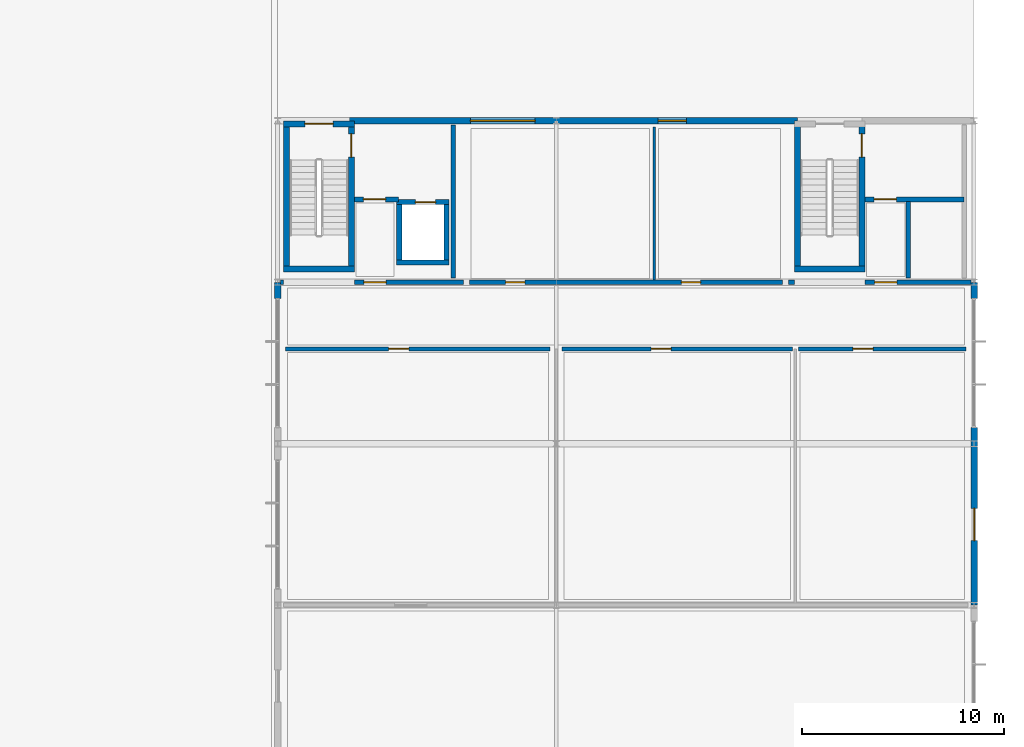
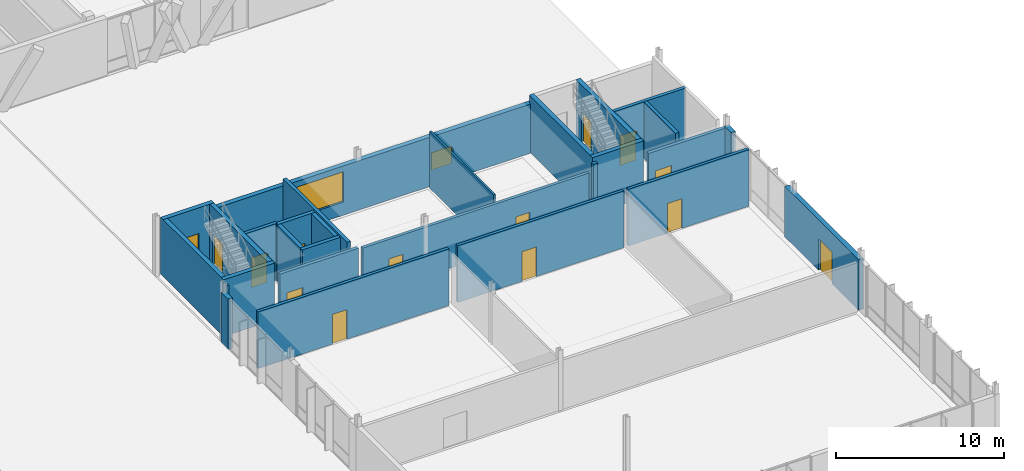
# One storey, part 203 of 233: 28 walls, 14 doors, 2 windows, 16 openings.
"""IFC4 building model written with IfcOpenShell, lengths in metres."""

from ifc_helpers import new_model, si_unit, direction, frame, frame_2d, origin, origin_with_axes, place, context, subcontext, project, spatial, rectangle, extrude, material, layer, layer_set, type_object, element, fill, save


model = new_model("IFC4")

# Units and contexts
model_context = context("Model", 3, precision=1e-05, world=origin(), true_north=direction((0.0, 1.0)))
body_context = subcontext(model_context, "Body", "Model", "MODEL_VIEW")
ifc_project = project(units=[si_unit("LENGTHUNIT", "METRE"), si_unit("AREAUNIT", "SQUARE_METRE"), si_unit("VOLUMEUNIT", "CUBIC_METRE"), si_unit("PLANEANGLEUNIT", "RADIAN"), si_unit("MASSUNIT", "GRAM", prefix="KILO")], contexts=[model_context])

# Site, building, storey
site_placement = place(None, origin())
site = spatial("IfcSite", under=ifc_project, at=site_placement, CompositionType="ELEMENT")
building_placement = place(site_placement, origin())
building = spatial("IfcBuilding", under=site, at=building_placement, Name="Zavelmont Quarter", CompositionType="ELEMENT")
storey_placement = place(building_placement, origin())
storey = spatial("IfcBuildingStorey", under=building, at=storey_placement, Name="L00", CompositionType="ELEMENT", Elevation=0.0)

# Wall
ifc_material_1 = material(Name="Natural Belgian limestone", Category="masonry")
ifc_layer_1 = layer(ifc_material_1, 0.320068359375)
ifc_layer_set_1 = layer_set([ifc_layer_1], Name="Natural Belgian limestone")
wall_type_1 = type_object("IfcWallType", Name="EW05", PredefinedType="STANDARD", material=ifc_layer_set_1)
wall_1_placement = place(storey_placement, frame((133.5, 69.199951171875, 0.0), z_axis=(0.0, 0.0, 1.0), x_axis=(0.0, 1.0, 0.0)))
element("IfcWall", 1, at=wall_1_placement, inside=storey, type_object=wall_type_1, Name="L00 exterior limestone wall EW05", PredefinedType="STANDARD", context=body_context, shape_type="SweptSolid", body=[
    extrude(rectangle(XDim=0.800048828125, YDim=0.320068359375, at=frame_2d((0.39990234375, 0.0))), origin(), (0.0, 0.0, 1.0), 3.659912109375),
])

# Wall, opening, door
wall_2_placement = place(storey_placement, frame((168.0, 54.0, 0.0), z_axis=(0.0, 0.0, 1.0), x_axis=(0.0, 1.0, 0.0)))
wall_2 = element("IfcWall", 2, at=wall_2_placement, inside=storey, type_object=wall_type_1, Name="L00 exterior limestone wall EW05", PredefinedType="STANDARD", context=body_context, shape_type="SweptSolid", body=[
    extrude(rectangle(XDim=8.800048828125, YDim=0.320068359375, at=frame_2d((4.39990234375, 0.0))), origin(), (0.0, 0.0, 1.0), 3.659912109375),
])
opening_1_placement = place(wall_2_placement, frame((3.199951171875, 0.0, 0.0)))
opening_1 = element("IfcOpeningElement", 3, at=opening_1_placement, cuts=wall_2, Name="Opening DR01B", PredefinedType="OPENING", context=body_context, shape_type="SweptSolid", body=[
    extrude(rectangle(XDim=1.60009765625, YDim=2.300048828125, at=frame_2d((0.800048828125, 1.14990234375))), frame((0.0, 0.171875, 0.0), z_axis=(0.0, -1.0, 0.0), x_axis=(1.0, 0.0, 0.0)), (0.0, 0.0, 1.0), 0.343994140625),
])
ifc_material_2 = material(Name="Powder-coated aluminium and tempered double safety glass", Category="aluminium")
door_type_1 = type_object("IfcDoorType", Name="DR01B", OperationType="DOUBLE_DOOR_SINGLE_SWING", PredefinedType="DOOR", material=ifc_material_2)
door_1_placement = place(opening_1_placement, frame((1.60009765625, 0.0, 0.0), z_axis=(0.0, 0.0, 1.0), x_axis=(-1.0, 0.0, 0.0)))
door_1 = element("IfcDoor", 4, at=door_1_placement, inside=storey, type_object=door_type_1, Name="Nursery East street entrance door", OperationType="DOUBLE_DOOR_SINGLE_SWING", OverallHeight=2.300048828125, OverallWidth=1.60009765625, PredefinedType="DOOR", context=body_context, shape_type="SweptSolid", body=[
    extrude(rectangle(XDim=1.60009765625, YDim=2.300048828125, at=frame_2d((0.800048828125, 1.14990234375))), frame((0.0, 0.02490234375, 0.0), z_axis=(0.0, -1.0, 0.0), x_axis=(1.0, 0.0, 0.0)), (0.0, 0.0, 1.0), 0.050048828125),
])
fill(opening_1, door_1)

# Wall
wall_3_placement = place(storey_placement, frame((168.0, 69.199951171875, 0.0), z_axis=(0.0, 0.0, 1.0), x_axis=(0.0, 1.0, 0.0)))
element("IfcWall", 5, at=wall_3_placement, inside=storey, type_object=wall_type_1, Name="L00 exterior limestone wall EW05", PredefinedType="STANDARD", context=body_context, shape_type="SweptSolid", body=[
    extrude(rectangle(XDim=0.800048828125, YDim=0.320068359375, at=frame_2d((0.39990234375, 0.0))), origin(), (0.0, 0.0, 1.0), 3.659912109375),
])

# Wall, openings, windows
wall_4_placement = place(storey_placement, frame((137.050048828125, 78.0, 0.0), z_axis=(0.0, 0.0, 1.0), x_axis=(1.0, 0.0, 0.0)))
wall_4 = element("IfcWall", 6, at=wall_4_placement, inside=storey, type_object=wall_type_1, Name="L00 exterior limestone wall EW05", PredefinedType="STANDARD", context=body_context, shape_type="SweptSolid", body=[
    extrude(rectangle(XDim=22.199951171875, YDim=0.320068359375, at=frame_2d((11.10009765625, 0.0))), origin(), (0.0, 0.0, 1.0), 3.570068359375),
])
opening_2_placement = place(wall_4_placement, frame((6.0048828125, 0.0, 0.949951171875)))
opening_2 = element("IfcOpeningElement", 7, at=opening_2_placement, cuts=wall_4, Name="Opening WN14", PredefinedType="OPENING", context=body_context, shape_type="SweptSolid", body=[
    extrude(rectangle(XDim=3.199951171875, YDim=2.199951171875, at=frame_2d((1.60009765625, 1.10009765625))), frame((0.0, 0.171875, 0.0), z_axis=(0.0, -1.0, 0.0), x_axis=(1.0, 0.0, 0.0)), (0.0, 0.0, 1.0), 0.343994140625),
])
opening_3_placement = place(wall_4_placement, frame((15.304931640625, 0.0, 1.050048828125)))
opening_3 = element("IfcOpeningElement", 8, at=opening_3_placement, cuts=wall_4, Name="Opening WN15", PredefinedType="OPENING", context=body_context, shape_type="SweptSolid", body=[
    extrude(rectangle(XDim=1.39990234375, YDim=1.25, at=frame_2d((0.699951171875, 0.625))), frame((0.0, 0.171875, 0.0), z_axis=(0.0, -1.0, 0.0), x_axis=(1.0, 0.0, 0.0)), (0.0, 0.0, 1.0), 0.343994140625),
])
ifc_material_3 = material(Name="Double low-E insulated glazing in thermally broken aluminium frame", Category="aluminium")
window_type_1 = type_object("IfcWindowType", Name="WN14", PartitioningType="SINGLE_PANEL", PredefinedType="WINDOW", material=ifc_material_3)
window_1_placement = place(opening_2_placement, origin_with_axes())
window_1 = element("IfcWindow", 9, at=window_1_placement, inside=storey, type_object=window_type_1, Name="L00 window WN14", OverallHeight=2.199951171875, OverallWidth=3.199951171875, PartitioningType="SINGLE_PANEL", PredefinedType="WINDOW", context=body_context, shape_type="SweptSolid", body=[
    extrude(rectangle(XDim=3.199951171875, YDim=2.199951171875, at=frame_2d((1.60009765625, 1.10009765625))), frame((0.0, 0.030029296875, 0.0), z_axis=(0.0, -1.0, 0.0), x_axis=(1.0, 0.0, 0.0)), (0.0, 0.0, 1.0), 0.06005859375),
])
fill(opening_2, window_1)
window_type_2 = type_object("IfcWindowType", Name="WN15", PartitioningType="SINGLE_PANEL", PredefinedType="WINDOW", material=ifc_material_3)
window_2_placement = place(opening_3_placement, origin_with_axes())
window_2 = element("IfcWindow", 10, at=window_2_placement, inside=storey, type_object=window_type_2, Name="L00 window WN15", OverallHeight=1.25, OverallWidth=1.39990234375, PartitioningType="SINGLE_PANEL", PredefinedType="WINDOW", context=body_context, shape_type="SweptSolid", body=[
    extrude(rectangle(XDim=1.39990234375, YDim=1.25, at=frame_2d((0.699951171875, 0.625))), frame((0.0, 0.030029296875, 0.0), z_axis=(0.0, -1.0, 0.0), x_axis=(1.0, 0.0, 0.0)), (0.0, 0.0, 1.0), 0.06005859375),
])
fill(opening_3, window_2)

# Wall, opening, door
ifc_material_4 = material(Name="Calcium-silicate blockwork and acoustic plaster", Category="masonry")
ifc_layer_2 = layer(ifc_material_4, 0.199951171875)
ifc_layer_set_2 = layer_set([ifc_layer_2], Name="Calcium-silicate blockwork and acoustic plaster")
wall_type_2 = type_object("IfcWallType", Name="IW01", PredefinedType="PARTITIONING", material=ifc_layer_set_2)
wall_5_placement = place(storey_placement, frame((133.89990234375, 66.699951171875, 0.0), z_axis=(0.0, 0.0, 1.0), x_axis=(1.0, 0.0, 0.0)))
wall_5 = element("IfcWall", 11, at=wall_5_placement, inside=storey, type_object=wall_type_2, Name="L00 Interior partition IW01", PredefinedType="PARTITIONING", context=body_context, shape_type="SweptSolid", body=[
    extrude(rectangle(XDim=13.10009765625, YDim=0.199951171875, at=frame_2d((6.550048828125, 0.0))), origin(), (0.0, 0.0, 1.0), 4.1201171875),
])
opening_4_placement = place(wall_5_placement, frame((5.10009765625, 0.0, 0.0)))
opening_4 = element("IfcOpeningElement", 12, at=opening_4_placement, cuts=wall_5, Name="Opening DR07", PredefinedType="OPENING", context=body_context, shape_type="SweptSolid", body=[
    extrude(rectangle(XDim=1.0, YDim=2.14990234375, at=frame_2d((0.5, 1.074951171875))), frame((0.0, 0.11181640625, 0.0), z_axis=(0.0, -1.0, 0.0), x_axis=(1.0, 0.0, 0.0)), (0.0, 0.0, 1.0), 0.223876953125),
])
ifc_material_5 = material(Name="Solid-core oak fire leaf in steel frame", Category="steel")
door_type_2 = type_object("IfcDoorType", Name="DR07", OperationType="NOTDEFINED", PredefinedType="DOOR", material=ifc_material_5)
door_2_placement = place(opening_4_placement, origin_with_axes())
door_2 = element("IfcDoor", 13, at=door_2_placement, inside=storey, type_object=door_type_2, Name="L00 door DR07", OperationType="SINGLE_SWING_RIGHT", OverallHeight=2.14990234375, OverallWidth=1.0, PredefinedType="DOOR", context=body_context, shape_type="SweptSolid", body=[
    extrude(rectangle(XDim=1.0, YDim=2.14990234375, at=frame_2d((0.5, 1.074951171875))), frame((0.0, 0.02490234375, 0.0), z_axis=(0.0, -1.0, 0.0), x_axis=(1.0, 0.0, 0.0)), (0.0, 0.0, 1.0), 0.050048828125),
])
fill(opening_4, door_2)

wall_6_placement = place(storey_placement, frame((147.60009765625, 66.699951171875, 0.0), z_axis=(0.0, 0.0, 1.0), x_axis=(1.0, 0.0, 0.0)))
wall_6 = element("IfcWall", 14, at=wall_6_placement, inside=storey, type_object=wall_type_2, Name="L00 Interior partition IW01", PredefinedType="PARTITIONING", context=body_context, shape_type="SweptSolid", body=[
    extrude(rectangle(XDim=11.39990234375, YDim=0.199951171875, at=frame_2d((5.699951171875, 0.0))), origin(), (0.0, 0.0, 1.0), 4.1201171875),
])
opening_5_placement = place(wall_6_placement, frame((4.39990234375, 0.0, 0.0)))
opening_5 = element("IfcOpeningElement", 15, at=opening_5_placement, cuts=wall_6, Name="Opening DR07", PredefinedType="OPENING", context=body_context, shape_type="SweptSolid", body=[
    extrude(rectangle(XDim=1.0, YDim=2.14990234375, at=frame_2d((0.5, 1.074951171875))), frame((0.0, 0.11181640625, 0.0), z_axis=(0.0, -1.0, 0.0), x_axis=(1.0, 0.0, 0.0)), (0.0, 0.0, 1.0), 0.223876953125),
])
door_3_placement = place(opening_5_placement, frame((1.0, 0.0, 0.0), z_axis=(0.0, 0.0, 1.0), x_axis=(-1.0, 0.0, 0.0)))
door_3 = element("IfcDoor", 16, at=door_3_placement, inside=storey, type_object=door_type_2, Name="L00 door DR07", OperationType="SINGLE_SWING_RIGHT", OverallHeight=2.14990234375, OverallWidth=1.0, PredefinedType="DOOR", context=body_context, shape_type="SweptSolid", body=[
    extrude(rectangle(XDim=1.0, YDim=2.14990234375, at=frame_2d((0.5, 1.074951171875))), frame((0.0, 0.02490234375, 0.0), z_axis=(0.0, -1.0, 0.0), x_axis=(1.0, 0.0, 0.0)), (0.0, 0.0, 1.0), 0.050048828125),
])
fill(opening_5, door_3)

wall_7_placement = place(storey_placement, frame((159.300048828125, 66.699951171875, 0.0), z_axis=(0.0, 0.0, 1.0), x_axis=(1.0, 0.0, 0.0)))
wall_7 = element("IfcWall", 17, at=wall_7_placement, inside=storey, type_object=wall_type_2, Name="L00 Interior partition IW01", PredefinedType="PARTITIONING", context=body_context, shape_type="SweptSolid", body=[
    extrude(rectangle(XDim=8.300048828125, YDim=0.199951171875, at=frame_2d((4.14990234375, 0.0))), origin(), (0.0, 0.0, 1.0), 4.1201171875),
])
opening_6_placement = place(wall_7_placement, frame((2.699951171875, 0.0, 0.0)))
opening_6 = element("IfcOpeningElement", 18, at=opening_6_placement, cuts=wall_7, Name="Opening DR07", PredefinedType="OPENING", context=body_context, shape_type="SweptSolid", body=[
    extrude(rectangle(XDim=1.0, YDim=2.14990234375, at=frame_2d((0.5, 1.074951171875))), frame((0.0, 0.11181640625, 0.0), z_axis=(0.0, -1.0, 0.0), x_axis=(1.0, 0.0, 0.0)), (0.0, 0.0, 1.0), 0.223876953125),
])
door_4_placement = place(opening_6_placement, origin_with_axes())
door_4 = element("IfcDoor", 19, at=door_4_placement, inside=storey, type_object=door_type_2, Name="L00 door DR07", OperationType="SINGLE_SWING_RIGHT", OverallHeight=2.14990234375, OverallWidth=1.0, PredefinedType="DOOR", context=body_context, shape_type="SweptSolid", body=[
    extrude(rectangle(XDim=1.0, YDim=2.14990234375, at=frame_2d((0.5, 1.074951171875))), frame((0.0, 0.02490234375, 0.0), z_axis=(0.0, -1.0, 0.0), x_axis=(1.0, 0.0, 0.0)), (0.0, 0.0, 1.0), 0.050048828125),
])
fill(opening_6, door_4)

# Wall, openings, doors
wall_8_placement = place(storey_placement, frame((143.0, 70.0, 0.0), z_axis=(0.0, 0.0, 1.0), x_axis=(1.0, 0.0, 0.0)))
wall_8 = element("IfcWall", 20, at=wall_8_placement, inside=storey, type_object=wall_type_2, Name="L00 Interior partition IW01", PredefinedType="PARTITIONING", context=body_context, shape_type="SweptSolid", body=[
    extrude(rectangle(XDim=15.5, YDim=0.199951171875, at=frame_2d((7.75, 0.0))), origin(), (0.0, 0.0, 1.0), 3.570068359375),
])
opening_7_placement = place(wall_8_placement, frame((1.800048828125, 0.0, 0.0)))
opening_7 = element("IfcOpeningElement", 21, at=opening_7_placement, cuts=wall_8, Name="Opening DR02", PredefinedType="OPENING", context=body_context, shape_type="SweptSolid", body=[
    extrude(rectangle(XDim=0.949951171875, YDim=2.14990234375, at=frame_2d((0.47509765625, 1.074951171875))), frame((0.0, 0.11181640625, 0.0), z_axis=(0.0, -1.0, 0.0), x_axis=(1.0, 0.0, 0.0)), (0.0, 0.0, 1.0), 0.223876953125),
])
opening_8_placement = place(wall_8_placement, frame((10.5, 0.0, 0.0)))
opening_8 = element("IfcOpeningElement", 22, at=opening_8_placement, cuts=wall_8, Name="Opening DR02", PredefinedType="OPENING", context=body_context, shape_type="SweptSolid", body=[
    extrude(rectangle(XDim=0.949951171875, YDim=2.14990234375, at=frame_2d((0.47509765625, 1.074951171875))), frame((0.0, 0.11181640625, 0.0), z_axis=(0.0, -1.0, 0.0), x_axis=(1.0, 0.0, 0.0)), (0.0, 0.0, 1.0), 0.223876953125),
])
door_type_3 = type_object("IfcDoorType", Name="DR02", OperationType="NOTDEFINED", PredefinedType="DOOR", material=ifc_material_5)
door_5_placement = place(opening_7_placement, origin_with_axes())
door_5 = element("IfcDoor", 23, at=door_5_placement, inside=storey, type_object=door_type_3, Name="L00 door DR02", OperationType="SINGLE_SWING_LEFT", OverallHeight=2.14990234375, OverallWidth=0.949951171875, PredefinedType="DOOR", context=body_context, shape_type="SweptSolid", body=[
    extrude(rectangle(XDim=0.949951171875, YDim=2.14990234375, at=frame_2d((0.47509765625, 1.074951171875))), frame((0.0, 0.02490234375, 0.0), z_axis=(0.0, -1.0, 0.0), x_axis=(1.0, 0.0, 0.0)), (0.0, 0.0, 1.0), 0.050048828125),
])
fill(opening_7, door_5)
door_6_placement = place(opening_8_placement, frame((0.949951171875, 0.0, 0.0), z_axis=(0.0, 0.0, 1.0), x_axis=(-1.0, 0.0, 0.0)))
door_6 = element("IfcDoor", 24, at=door_6_placement, inside=storey, type_object=door_type_3, Name="L00 door DR02", OperationType="SINGLE_SWING_RIGHT", OverallHeight=2.14990234375, OverallWidth=0.949951171875, PredefinedType="DOOR", context=body_context, shape_type="SweptSolid", body=[
    extrude(rectangle(XDim=0.949951171875, YDim=2.14990234375, at=frame_2d((0.47509765625, 1.074951171875))), frame((0.0, 0.02490234375, 0.0), z_axis=(0.0, -1.0, 0.0), x_axis=(1.0, 0.0, 0.0)), (0.0, 0.0, 1.0), 0.050048828125),
])
fill(opening_8, door_6)

# Wall
ifc_material_6 = material(Name="Reinforced masonry fire compartment wall", Category="masonry")
ifc_layer_3 = layer(ifc_material_6, 0.22509765625)
ifc_layer_set_3 = layer_set([ifc_layer_3], Name="Reinforced masonry fire compartment wall")
wall_type_3 = type_object("IfcWallType", Name="IW02", PredefinedType="PARTITIONING", material=ifc_layer_set_3)
wall_9_placement = place(storey_placement, frame((142.2099609375, 70.199951171875, 0.0), z_axis=(0.0, 0.0, 1.0), x_axis=(0.0, 1.0, 0.0)))
element("IfcWall", 25, at=wall_9_placement, inside=storey, type_object=wall_type_3, Name="L00 Firefighting lobby enclosure wall IW02", PredefinedType="PARTITIONING", context=body_context, shape_type="SweptSolid", body=[
    extrude(rectangle(XDim=7.60009765625, YDim=0.22509765625, at=frame_2d((3.800048828125, 0.0))), origin(), (0.0, 0.0, 1.0), 4.1201171875),
])

# Wall, opening, door
wall_10_placement = place(storey_placement, frame((137.300048828125, 74.10009765625, 0.0), z_axis=(0.0, 0.0, 1.0), x_axis=(1.0, 0.0, 0.0)))
wall_10 = element("IfcWall", 26, at=wall_10_placement, inside=storey, type_object=wall_type_3, Name="L00 Firefighting lobby threshold wall IW02", PredefinedType="PARTITIONING", context=body_context, shape_type="SweptSolid", body=[
    extrude(rectangle(XDim=2.199951171875, YDim=0.22509765625, at=frame_2d((1.10009765625, 0.0))), origin(), (0.0, 0.0, 1.0), 4.1201171875),
])
opening_9_placement = place(wall_10_placement, frame((0.449951171875, 0.0, 0.0)))
opening_9 = element("IfcOpeningElement", 27, at=opening_9_placement, cuts=wall_10, Name="Opening DR10", PredefinedType="OPENING", context=body_context, shape_type="SweptSolid", body=[
    extrude(rectangle(XDim=1.10009765625, YDim=2.14990234375, at=frame_2d((0.550048828125, 1.074951171875))), frame((0.0, 0.12451171875, 0.0), z_axis=(0.0, -1.0, 0.0), x_axis=(1.0, 0.0, 0.0)), (0.0, 0.0, 1.0), 0.2490234375),
])
ifc_material_7 = material(Name="Painted steel lobby fire door", Category="steel")
door_type_4 = type_object("IfcDoorType", Name="DR10", OperationType="NOTDEFINED", PredefinedType="DOOR", material=ifc_material_7)
door_7_placement = place(opening_9_placement, origin_with_axes())
door_7 = element("IfcDoor", 28, at=door_7_placement, inside=storey, type_object=door_type_4, Name="Firefighting lobby fire door", OperationType="SINGLE_SWING_RIGHT", OverallHeight=2.14990234375, OverallWidth=1.10009765625, PredefinedType="DOOR", context=body_context, shape_type="SweptSolid", body=[
    extrude(rectangle(XDim=1.10009765625, YDim=2.14990234375, at=frame_2d((0.550048828125, 1.074951171875))), frame((0.0, 0.02490234375, 0.0), z_axis=(0.0, -1.0, 0.0), x_axis=(1.0, 0.0, 0.0)), (0.0, 0.0, 1.0), 0.050048828125),
])
fill(opening_9, door_7)

# Wall
wall_11_placement = place(storey_placement, frame((133.64990234375, 70.0, 0.0), z_axis=(0.0, 0.0, 1.0), x_axis=(1.0, 0.0, 0.0)))
element("IfcWall", 29, at=wall_11_placement, inside=storey, type_object=wall_type_3, Name="L00 Core corridor wall IW02", PredefinedType="PARTITIONING", context=body_context, shape_type="SweptSolid", body=[
    extrude(rectangle(XDim=0.150146484375, YDim=0.22509765625, at=frame_2d((0.0751953125, 0.0))), origin(), (0.0, 0.0, 1.0), 4.1201171875),
])

# Wall, opening, door
wall_12_placement = place(storey_placement, frame((137.300048828125, 70.0, 0.0), z_axis=(0.0, 0.0, 1.0), x_axis=(1.0, 0.0, 0.0)))
wall_12 = element("IfcWall", 30, at=wall_12_placement, inside=storey, type_object=wall_type_3, Name="L00 Core corridor fire wall IW02", PredefinedType="PARTITIONING", context=body_context, shape_type="SweptSolid", body=[
    extrude(rectangle(XDim=5.39990234375, YDim=0.22509765625, at=frame_2d((2.699951171875, 0.0))), origin(), (0.0, 0.0, 1.0), 3.669921875),
])
opening_10_placement = place(wall_12_placement, frame((0.47509765625, 0.0, 0.0)))
opening_10 = element("IfcOpeningElement", 31, at=opening_10_placement, cuts=wall_12, Name="Opening DR10", PredefinedType="OPENING", context=body_context, shape_type="SweptSolid", body=[
    extrude(rectangle(XDim=1.10009765625, YDim=2.14990234375, at=frame_2d((0.550048828125, 1.074951171875))), frame((0.0, 0.12451171875, 0.0), z_axis=(0.0, -1.0, 0.0), x_axis=(1.0, 0.0, 0.0)), (0.0, 0.0, 1.0), 0.2490234375),
])
door_8_placement = place(opening_10_placement, origin_with_axes())
door_8 = element("IfcDoor", 32, at=door_8_placement, inside=storey, type_object=door_type_4, Name="Core vestibule fire door", OperationType="SINGLE_SWING_LEFT", OverallHeight=2.14990234375, OverallWidth=1.10009765625, PredefinedType="DOOR", context=body_context, shape_type="SweptSolid", body=[
    extrude(rectangle(XDim=1.10009765625, YDim=2.14990234375, at=frame_2d((0.550048828125, 1.074951171875))), frame((0.0, 0.02490234375, 0.0), z_axis=(0.0, -1.0, 0.0), x_axis=(1.0, 0.0, 0.0)), (0.0, 0.0, 1.0), 0.050048828125),
])
fill(opening_10, door_8)

# Wall
wall_13_placement = place(storey_placement, frame((164.75, 70.199951171875, 0.0), z_axis=(0.0, 0.0, 1.0), x_axis=(0.0, 1.0, 0.0)))
element("IfcWall", 33, at=wall_13_placement, inside=storey, type_object=wall_type_3, Name="L00 Vestibule side wall IW02", PredefinedType="PARTITIONING", context=body_context, shape_type="SweptSolid", body=[
    extrude(rectangle(XDim=3.800048828125, YDim=0.22509765625, at=frame_2d((1.89990234375, 0.0))), origin(), (0.0, 0.0, 1.0), 4.1201171875),
])

# Wall, opening, door
wall_14_placement = place(storey_placement, frame((162.60009765625, 74.10009765625, 0.0), z_axis=(0.0, 0.0, 1.0), x_axis=(1.0, 0.0, 0.0)))
wall_14 = element("IfcWall", 34, at=wall_14_placement, inside=storey, type_object=wall_type_3, Name="L00 Firefighting lobby threshold wall IW02", PredefinedType="PARTITIONING", context=body_context, shape_type="SweptSolid", body=[
    extrude(rectangle(XDim=4.909912109375, YDim=0.22509765625, at=frame_2d((2.455078125, 0.0))), origin(), (0.0, 0.0, 1.0), 4.1201171875),
])
opening_11_placement = place(wall_14_placement, frame((0.449951171875, 0.0, 0.0)))
opening_11 = element("IfcOpeningElement", 35, at=opening_11_placement, cuts=wall_14, Name="Opening DR10", PredefinedType="OPENING", context=body_context, shape_type="SweptSolid", body=[
    extrude(rectangle(XDim=1.10009765625, YDim=2.14990234375, at=frame_2d((0.550048828125, 1.074951171875))), frame((0.0, 0.12451171875, 0.0), z_axis=(0.0, -1.0, 0.0), x_axis=(1.0, 0.0, 0.0)), (0.0, 0.0, 1.0), 0.2490234375),
])
door_9_placement = place(opening_11_placement, origin_with_axes())
door_9 = element("IfcDoor", 36, at=door_9_placement, inside=storey, type_object=door_type_4, Name="Firefighting lobby fire door", OperationType="SINGLE_SWING_LEFT", OverallHeight=2.14990234375, OverallWidth=1.10009765625, PredefinedType="DOOR", context=body_context, shape_type="SweptSolid", body=[
    extrude(rectangle(XDim=1.10009765625, YDim=2.14990234375, at=frame_2d((0.550048828125, 1.074951171875))), frame((0.0, 0.02490234375, 0.0), z_axis=(0.0, -1.0, 0.0), x_axis=(1.0, 0.0, 0.0)), (0.0, 0.0, 1.0), 0.050048828125),
])
fill(opening_11, door_9)

# Wall
wall_15_placement = place(storey_placement, frame((158.800048828125, 70.0, 0.0), z_axis=(0.0, 0.0, 1.0), x_axis=(1.0, 0.0, 0.0)))
element("IfcWall", 37, at=wall_15_placement, inside=storey, type_object=wall_type_3, Name="L00 Core corridor wall IW02", PredefinedType="PARTITIONING", context=body_context, shape_type="SweptSolid", body=[
    extrude(rectangle(XDim=0.300048828125, YDim=0.22509765625, at=frame_2d((0.14990234375, 0.0))), origin(), (0.0, 0.0, 1.0), 4.1201171875),
])

# Wall, opening, door
wall_16_placement = place(storey_placement, frame((162.60009765625, 70.0, 0.0), z_axis=(0.0, 0.0, 1.0), x_axis=(1.0, 0.0, 0.0)))
wall_16 = element("IfcWall", 38, at=wall_16_placement, inside=storey, type_object=wall_type_3, Name="L00 Core corridor fire wall IW02", PredefinedType="PARTITIONING", context=body_context, shape_type="SweptSolid", body=[
    extrude(rectangle(XDim=5.25, YDim=0.22509765625, at=frame_2d((2.625, 0.0))), origin(), (0.0, 0.0, 1.0), 3.570068359375),
])
opening_12_placement = place(wall_16_placement, frame((0.47509765625, 0.0, 0.0)))
opening_12 = element("IfcOpeningElement", 39, at=opening_12_placement, cuts=wall_16, Name="Opening DR10", PredefinedType="OPENING", context=body_context, shape_type="SweptSolid", body=[
    extrude(rectangle(XDim=1.10009765625, YDim=2.14990234375, at=frame_2d((0.550048828125, 1.074951171875))), frame((0.0, 0.12451171875, 0.0), z_axis=(0.0, -1.0, 0.0), x_axis=(1.0, 0.0, 0.0)), (0.0, 0.0, 1.0), 0.2490234375),
])
door_10_placement = place(opening_12_placement, origin_with_axes())
door_10 = element("IfcDoor", 40, at=door_10_placement, inside=storey, type_object=door_type_4, Name="Core vestibule fire door", OperationType="SINGLE_SWING_RIGHT", OverallHeight=2.14990234375, OverallWidth=1.10009765625, PredefinedType="DOOR", context=body_context, shape_type="SweptSolid", body=[
    extrude(rectangle(XDim=1.10009765625, YDim=2.14990234375, at=frame_2d((0.550048828125, 1.074951171875))), frame((0.0, 0.02490234375, 0.0), z_axis=(0.0, -1.0, 0.0), x_axis=(1.0, 0.0, 0.0)), (0.0, 0.0, 1.0), 0.050048828125),
])
fill(opening_12, door_10)

# Walls
ifc_material_8 = material(Name="Double gypsum board on acoustic steel stud", Category="steel")
ifc_layer_4 = layer(ifc_material_8, 0.125)
ifc_layer_set_4 = layer_set([ifc_layer_4], Name="Double gypsum board on acoustic steel stud")
wall_type_4 = type_object("IfcWallType", Name="IW03", PredefinedType="PARTITIONING", material=ifc_layer_set_4)
wall_17_placement = place(storey_placement, frame((152.14990234375, 70.10009765625, 0.0), z_axis=(0.0, 0.0, 1.0), x_axis=(0.0, 1.0, 0.0)))
element("IfcWall", 41, at=wall_17_placement, inside=storey, type_object=wall_type_4, Name="L00 Interior partition IW03", PredefinedType="PARTITIONING", context=body_context, shape_type="SweptSolid", body=[
    extrude(rectangle(XDim=7.599853515625, YDim=0.125, at=frame_2d((3.7998046875, 0.0))), origin(), (0.0, 0.0, 1.0), 4.1201171875),
])
ifc_material_9 = material(Name="Concrete C40/50", Category="concrete")
ifc_layer_5 = layer(ifc_material_9, 0.300048828125)
ifc_layer_set_5 = layer_set([ifc_layer_5], Name="Concrete C40/50")
wall_type_5 = type_object("IfcWallType", Name="SW01", PredefinedType="SHEAR", material=ifc_layer_set_5)
wall_18_placement = place(storey_placement, frame((133.800048828125, 70.64990234375, 0.0), z_axis=(0.0, 0.0, 1.0), x_axis=(1.0, 0.0, 0.0)))
element("IfcWall", 42, at=wall_18_placement, inside=storey, type_object=wall_type_5, Name="L00 ST11 corridor shear wall SW01", PredefinedType="SHEAR", context=body_context, shape_type="SweptSolid", body=[
    extrude(rectangle(XDim=3.5, YDim=0.300048828125, at=frame_2d((1.75, 0.0))), origin(), (0.0, 0.0, 1.0), 4.1201171875),
])
wall_19_placement = place(storey_placement, frame((133.949951171875, 70.5, 0.0), z_axis=(0.0, 0.0, 1.0), x_axis=(0.0, 1.0, 0.0)))
element("IfcWall", 43, at=wall_19_placement, inside=storey, type_object=wall_type_5, Name="L00 ST11 west shear wall SW01", PredefinedType="SHEAR", context=body_context, shape_type="SweptSolid", body=[
    extrude(rectangle(XDim=7.5, YDim=0.300048828125, at=frame_2d((3.75, 0.0))), origin(), (0.0, 0.0, 1.0), 4.1201171875),
])

# Wall, opening, door
wall_20_placement = place(storey_placement, frame((137.14990234375, 70.5, 0.0), z_axis=(0.0, 0.0, 1.0), x_axis=(0.0, 1.0, 0.0)))
wall_20 = element("IfcWall", 44, at=wall_20_placement, inside=storey, type_object=wall_type_5, Name="L00 ST11 lobby shear wall SW01", PredefinedType="SHEAR", context=body_context, shape_type="SweptSolid", body=[
    extrude(rectangle(XDim=7.5, YDim=0.300048828125, at=frame_2d((3.75, 0.0))), origin(), (0.0, 0.0, 1.0), 4.1201171875),
])
opening_13_placement = place(wall_20_placement, frame((5.699951171875, 0.0, 0.0)))
opening_13 = element("IfcOpeningElement", 45, at=opening_13_placement, cuts=wall_20, Name="Opening DR09", PredefinedType="OPENING", context=body_context, shape_type="SweptSolid", body=[
    extrude(rectangle(XDim=1.14990234375, YDim=2.14990234375, at=frame_2d((0.574951171875, 1.074951171875))), frame((0.0, 0.162109375, 0.0), z_axis=(0.0, -1.0, 0.0), x_axis=(1.0, 0.0, 0.0)), (0.0, 0.0, 1.0), 0.323974609375),
])
ifc_material_10 = material(Name="Painted steel stair-core fire door", Category="steel")
door_type_5 = type_object("IfcDoorType", Name="DR09", OperationType="NOTDEFINED", PredefinedType="DOOR", material=ifc_material_10)
door_11_placement = place(opening_13_placement, origin_with_axes())
door_11 = element("IfcDoor", 46, at=door_11_placement, inside=storey, type_object=door_type_5, Name="ST11 protected stair door", OperationType="SINGLE_SWING_LEFT", OverallHeight=2.14990234375, OverallWidth=1.14990234375, PredefinedType="DOOR", context=body_context, shape_type="SweptSolid", body=[
    extrude(rectangle(XDim=1.14990234375, YDim=2.14990234375, at=frame_2d((0.574951171875, 1.074951171875))), frame((0.0, 0.02490234375, 0.0), z_axis=(0.0, -1.0, 0.0), x_axis=(1.0, 0.0, 0.0)), (0.0, 0.0, 1.0), 0.050048828125),
])
fill(opening_13, door_11)

# Walls
wall_21_placement = place(storey_placement, frame((159.10009765625, 70.64990234375, 0.0), z_axis=(0.0, 0.0, 1.0), x_axis=(1.0, 0.0, 0.0)))
element("IfcWall", 47, at=wall_21_placement, inside=storey, type_object=wall_type_5, Name="L00 ST12 corridor shear wall SW01", PredefinedType="SHEAR", context=body_context, shape_type="SweptSolid", body=[
    extrude(rectangle(XDim=3.5, YDim=0.300048828125, at=frame_2d((1.75, 0.0))), origin(), (0.0, 0.0, 1.0), 4.1201171875),
])
wall_22_placement = place(storey_placement, frame((159.25, 70.5, 0.0), z_axis=(0.0, 0.0, 1.0), x_axis=(0.0, 1.0, 0.0)))
element("IfcWall", 48, at=wall_22_placement, inside=storey, type_object=wall_type_5, Name="L00 ST12 west shear wall SW01", PredefinedType="SHEAR", context=body_context, shape_type="SweptSolid", body=[
    extrude(rectangle(XDim=7.5, YDim=0.300048828125, at=frame_2d((3.75, 0.0))), origin(), (0.0, 0.0, 1.0), 4.1201171875),
])

# Wall, opening, door
wall_23_placement = place(storey_placement, frame((162.449951171875, 70.5, 0.0), z_axis=(0.0, 0.0, 1.0), x_axis=(0.0, 1.0, 0.0)))
wall_23 = element("IfcWall", 49, at=wall_23_placement, inside=storey, type_object=wall_type_5, Name="L00 ST12 lobby shear wall SW01", PredefinedType="SHEAR", context=body_context, shape_type="SweptSolid", body=[
    extrude(rectangle(XDim=7.5, YDim=0.300048828125, at=frame_2d((3.75, 0.0))), origin(), (0.0, 0.0, 1.0), 4.1201171875),
])
opening_14_placement = place(wall_23_placement, frame((5.699951171875, 0.0, 0.0)))
opening_14 = element("IfcOpeningElement", 50, at=opening_14_placement, cuts=wall_23, Name="Opening DR09", PredefinedType="OPENING", context=body_context, shape_type="SweptSolid", body=[
    extrude(rectangle(XDim=1.14990234375, YDim=2.14990234375, at=frame_2d((0.574951171875, 1.074951171875))), frame((0.0, 0.162109375, 0.0), z_axis=(0.0, -1.0, 0.0), x_axis=(1.0, 0.0, 0.0)), (0.0, 0.0, 1.0), 0.323974609375),
])
door_12_placement = place(opening_14_placement, origin_with_axes())
door_12 = element("IfcDoor", 51, at=door_12_placement, inside=storey, type_object=door_type_5, Name="ST12 protected stair door", OperationType="SINGLE_SWING_LEFT", OverallHeight=2.14990234375, OverallWidth=1.14990234375, PredefinedType="DOOR", context=body_context, shape_type="SweptSolid", body=[
    extrude(rectangle(XDim=1.14990234375, YDim=2.14990234375, at=frame_2d((0.574951171875, 1.074951171875))), frame((0.0, 0.02490234375, 0.0), z_axis=(0.0, -1.0, 0.0), x_axis=(1.0, 0.0, 0.0)), (0.0, 0.0, 1.0), 0.050048828125),
])
fill(opening_14, door_12)

ifc_layer_6 = layer(ifc_material_9, 0.25)
ifc_layer_set_6 = layer_set([ifc_layer_6], Name="Concrete C40/50")
wall_type_6 = type_object("IfcWallType", Name="SW02", PredefinedType="SHEAR", material=ifc_layer_set_6)
wall_24_placement = place(storey_placement, frame((139.39990234375, 73.97509765625, 0.0), z_axis=(0.0, 0.0, 1.0), x_axis=(1.0, 0.0, 0.0)))
wall_24 = element("IfcWall", 52, at=wall_24_placement, inside=storey, type_object=wall_type_6, Name="L00 Lift LF10 landing shaft wall SW02", PredefinedType="SHEAR", context=body_context, shape_type="SweptSolid", body=[
    extrude(rectangle(XDim=2.60009765625, YDim=0.25, at=frame_2d((1.300048828125, 0.0))), origin(), (0.0, 0.0, 1.0), 4.1201171875),
])
opening_15_placement = place(wall_24_placement, frame((0.925048828125, 0.0, 0.0)))
opening_15 = element("IfcOpeningElement", 53, at=opening_15_placement, cuts=wall_24, Name="Opening LD01", PredefinedType="OPENING", context=body_context, shape_type="SweptSolid", body=[
    extrude(rectangle(XDim=1.0, YDim=2.10009765625, at=frame_2d((0.5, 1.050048828125))), frame((0.0, 0.136962890625, 0.0), z_axis=(0.0, -1.0, 0.0), x_axis=(1.0, 0.0, 0.0)), (0.0, 0.0, 1.0), 0.27392578125),
])
ifc_material_11 = material(Name="Brushed stainless-steel automatic sliding landing door", Category="steel")
door_type_6 = type_object("IfcDoorType", Name="LD01", OperationType="SLIDING_TO_LEFT", PredefinedType="DOOR", material=ifc_material_11)
door_13_placement = place(opening_15_placement, origin_with_axes())
door_13 = element("IfcDoor", 54, at=door_13_placement, inside=storey, type_object=door_type_6, Name="Lift LF10 sliding landing door", OperationType="SLIDING_TO_LEFT", OverallHeight=2.10009765625, OverallWidth=1.0, PredefinedType="DOOR", context=body_context, shape_type="SweptSolid", body=[
    extrude(rectangle(XDim=1.0, YDim=2.10009765625, at=frame_2d((0.5, 1.050048828125))), frame((0.0, 0.02490234375, 0.0), z_axis=(0.0, -1.0, 0.0), x_axis=(1.0, 0.0, 0.0)), (0.0, 0.0, 1.0), 0.050048828125),
])
fill(opening_15, door_13)

# Walls
wall_25_placement = place(storey_placement, frame((139.39990234375, 70.97509765625, 0.0), z_axis=(0.0, 0.0, 1.0), x_axis=(1.0, 0.0, 0.0)))
element("IfcWall", 55, at=wall_25_placement, inside=storey, type_object=wall_type_6, Name="L00 Lift LF10 back shaft wall SW02", PredefinedType="SHEAR", context=body_context, shape_type="SweptSolid", body=[
    extrude(rectangle(XDim=2.60009765625, YDim=0.25, at=frame_2d((1.300048828125, 0.0))), origin(), (0.0, 0.0, 1.0), 4.1201171875),
])
for number, where, z_axis, x_axis, name in (
    (56, (139.52490234375, 70.85009765625, 0.0), (0.0, 0.0, 1.0), (0.0, 1.0, 0.0), "L00 Lift LF10 west shaft wall SW02"),
    (57, (141.875, 70.85009765625, 0.0), (0.0, 0.0, 1.0), (0.0, 1.0, 0.0), "L00 Lift LF10 east shaft wall SW02"),
):
    element("IfcWall", number, at=place(storey_placement, frame(where, z_axis=z_axis, x_axis=x_axis)), inside=storey, type_object=wall_type_6, Name=name, PredefinedType="SHEAR", context=body_context, shape_type="SweptSolid", body=[
        extrude(rectangle(XDim=3.25, YDim=0.25, at=frame_2d((1.625, 0.0))), origin(), (0.0, 0.0, 1.0), 4.1201171875),
    ])

# Wall, opening, door
ifc_layer_7 = layer(ifc_material_9, 0.300048828125)
ifc_layer_set_7 = layer_set([ifc_layer_7], Name="Concrete C40/50")
wall_type_7 = type_object("IfcWallType", Name="SW03", PredefinedType="SHEAR", material=ifc_layer_set_7)
wall_26_placement = place(storey_placement, frame((133.800048828125, 77.85009765625, 0.0), z_axis=(0.0, 0.0, 1.0), x_axis=(1.0, 0.0, 0.0)))
wall_26 = element("IfcWall", 58, at=wall_26_placement, inside=storey, type_object=wall_type_7, Name="L00 ST11 outer shear wall SW03", PredefinedType="SHEAR", context=body_context, shape_type="SweptSolid", body=[
    extrude(rectangle(XDim=3.5, YDim=0.300048828125, at=frame_2d((1.75, 0.0))), origin(), (0.0, 0.0, 1.0), 4.1201171875),
])
opening_16_placement = place(wall_26_placement, frame((1.050048828125, 0.0, 0.0)))
opening_16 = element("IfcOpeningElement", 59, at=opening_16_placement, cuts=wall_26, Name="Opening DR15", PredefinedType="OPENING", context=body_context, shape_type="SweptSolid", body=[
    extrude(rectangle(XDim=1.39990234375, YDim=2.25, at=frame_2d((0.699951171875, 1.125))), frame((0.0, 0.162109375, 0.0), z_axis=(0.0, -1.0, 0.0), x_axis=(1.0, 0.0, 0.0)), (0.0, 0.0, 1.0), 0.323974609375),
])
ifc_material_12 = material(Name="Powder-coated steel final-exit stair door", Category="steel")
door_type_7 = type_object("IfcDoorType", Name="DR15", OperationType="DOUBLE_DOOR_SINGLE_SWING", PredefinedType="DOOR", material=ifc_material_12)
door_14_placement = place(opening_16_placement, origin_with_axes())
door_14 = element("IfcDoor", 60, at=door_14_placement, inside=storey, type_object=door_type_7, Name="Nursery Pavilion ST11 courtyard final exit door", OperationType="DOUBLE_DOOR_SINGLE_SWING", OverallHeight=2.25, OverallWidth=1.39990234375, PredefinedType="DOOR", context=body_context, shape_type="SweptSolid", body=[
    extrude(rectangle(XDim=1.39990234375, YDim=2.25, at=frame_2d((0.699951171875, 1.125))), frame((0.0, 0.02490234375, 0.0), z_axis=(0.0, -1.0, 0.0), x_axis=(1.0, 0.0, 0.0)), (0.0, 0.0, 1.0), 0.050048828125),
])
fill(opening_16, door_14)

save(model, "model.ifc")
